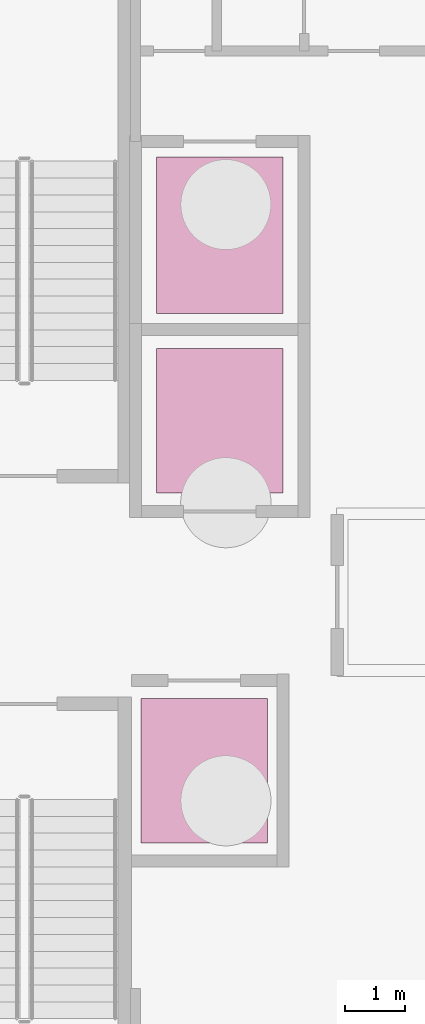
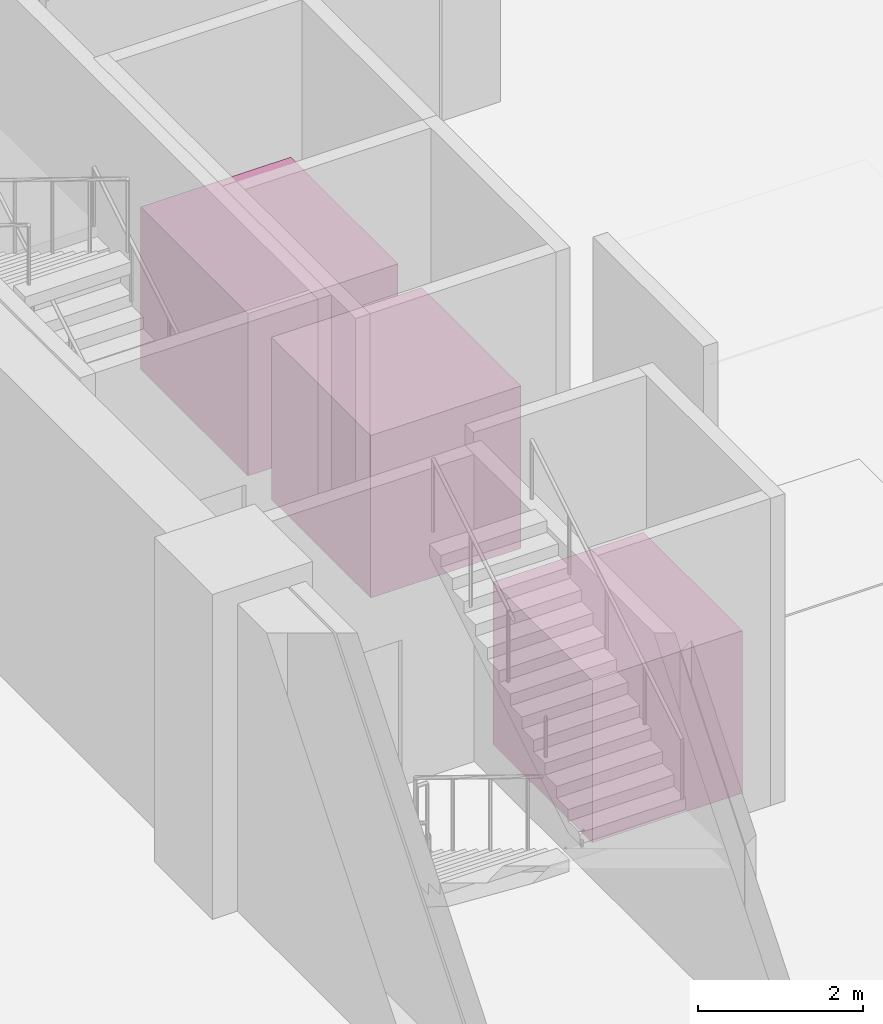
# One storey, part 10 of 10: 3 transport elements.
"""IFC4 building model written with IfcOpenShell, lengths in metres."""

import ifcopenshell
import ifcopenshell.guid

model = None  # the IFC model being written
_history = None  # IfcOwnerHistory: only IFC2X3 demands one
_inside = {}  # id of a spatial element -> (the spatial element, [elements in it])
_under = {}  # id of a project, library or spatial element -> (it, [spatial elements below it])
_declared = {}  # id of a project -> (the project, [libraries it declares])
_typed = {}  # id of a type object -> (the type object, [elements of that type])
_made_of = {}  # id of a material, layer set ... -> (it, [elements and type objects made of it])


def new_model(schema):
    """Start an empty IFC model of exactly this schema.

    Asked for "IFC4X3", IfcOpenShell would pick the latest addendum, in which some entities
    have other attributes; the version numbers below select the first issue.
    IFC2X3 requires an IfcOwnerHistory on every rooted entity: one is made here for all.
    """
    global model, _history
    if schema == "IFC4X3":
        model = ifcopenshell.file(schema_version=(4, 3, 0, 0))
    else:
        model = ifcopenshell.file(schema=schema)
    _inside.clear()
    _under.clear()
    _declared.clear()
    _typed.clear()
    _made_of.clear()
    _history = None
    if model.schema == "IFC2X3":
        org = make("IfcOrganization", Name="unknown")
        user = make(
            "IfcPersonAndOrganization",
            ThePerson=make("IfcPerson", FamilyName="unknown"),
            TheOrganization=org,
        )
        app = make(
            "IfcApplication",
            ApplicationDeveloper=org,
            Version="unknown",
            ApplicationFullName="unknown",
            ApplicationIdentifier="unknown",
        )
        _history = make(
            "IfcOwnerHistory",
            OwningUser=user,
            OwningApplication=app,
            ChangeAction="ADDED",
            CreationDate=0,
        )
    return model


def make(cls, **values):
    """One entity of the class cls with the attributes given. An attribute that is None is left unset."""
    return model.create_entity(
        cls, **{name: value for name, value in values.items() if value is not None}
    )


def rooted(cls, **values):
    """An entity with a GlobalId (a new one), such as an element, a storey or a relation."""
    return make(cls, GlobalId=ifcopenshell.guid.new(), OwnerHistory=_history, **values)


def si_unit(unit_type, name, prefix=None):
    """IfcSIUnit, for example si_unit("LENGTHUNIT", "METRE", prefix="MILLI")."""
    return make("IfcSIUnit", UnitType=unit_type, Prefix=prefix, Name=name)


def assignment(units):
    """IfcUnitAssignment: the units of a project."""
    return None if units is None else make("IfcUnitAssignment", Units=units)


def point(xyz):
    """IfcCartesianPoint."""
    return None if xyz is None else make("IfcCartesianPoint", Coordinates=xyz)


def direction(xyz):
    """IfcDirection."""
    return None if xyz is None else make("IfcDirection", DirectionRatios=xyz)


def frame(location, z_axis=None, x_axis=None):
    """IfcAxis2Placement3D, a coordinate frame: its origin and axes. An axis left out is left unset."""
    return make(
        "IfcAxis2Placement3D",
        Location=point(location),
        Axis=direction(z_axis),
        RefDirection=direction(x_axis),
    )


def frame_2d(location, x_axis=None):
    """IfcAxis2Placement2D, a coordinate frame in the plane: its origin and x axis."""
    return make(
        "IfcAxis2Placement2D", Location=point(location), RefDirection=direction(x_axis)
    )


def origin():
    """The frame at (0, 0, 0) with its axes left unset."""
    return frame((0.0, 0.0, 0.0))


def origin_2d():
    """The frame at (0, 0) in the plane with its x axis left unset."""
    return frame_2d((0.0, 0.0))


def place(relative_to, where):
    """IfcLocalPlacement: puts the frame where relative to a parent placement (None: the world)."""
    return make(
        "IfcLocalPlacement", PlacementRelTo=relative_to, RelativePlacement=where
    )


def context(
    kind, dimensions, precision=None, world=None, true_north=None, identifier=None
):
    """IfcGeometricRepresentationContext, for example the 3D "Model" context."""
    return make(
        "IfcGeometricRepresentationContext",
        ContextIdentifier=identifier,
        ContextType=kind,
        CoordinateSpaceDimension=dimensions,
        Precision=precision,
        WorldCoordinateSystem=world,
        TrueNorth=true_north,
    )


def subcontext(parent, identifier, kind, view, scale=None):
    """IfcGeometricRepresentationSubContext, for example "Body" below "Model"."""
    return make(
        "IfcGeometricRepresentationSubContext",
        ContextIdentifier=identifier,
        ContextType=kind,
        ParentContext=parent,
        TargetScale=scale,
        TargetView=view,
    )


def project(units=None, contexts=None):
    """IfcProject with its units and contexts."""
    return rooted(
        "IfcProject",
        Name="project",
        RepresentationContexts=contexts,
        UnitsInContext=assignment(units),
    )


def spatial(cls, under=None, at=None, **own):
    """A site, building, storey or space (cls), placed at a placement, below another one or the project."""
    s = rooted(cls, ObjectPlacement=at, **own)
    if under is not None:
        _under.setdefault(under.id(), (under, []))[1].append(s)
    return s


def profile(cls, at=None, kind="AREA", **sizes):
    """A parametric profile (cls). Its sizes go by their IFC names, for example OverallWidth=200.0."""
    return make(cls, ProfileType=kind, Position=at, **sizes)


def rectangle(**sizes):
    """IfcRectangleProfileDef."""
    return profile("IfcRectangleProfileDef", **sizes)


def extrude(swept, where, along, depth):
    """IfcExtrudedAreaSolid: the profile swept, set in the frame where, extruded along a direction by depth."""
    return make(
        "IfcExtrudedAreaSolid",
        SweptArea=swept,
        Position=where,
        ExtrudedDirection=direction(along),
        Depth=depth,
    )


def shape(context_of_items, identifier, shape_type, items):
    """IfcShapeRepresentation: the items that make up one representation, for example the "Body"."""
    return make(
        "IfcShapeRepresentation",
        ContextOfItems=context_of_items,
        RepresentationIdentifier=identifier,
        RepresentationType=shape_type,
        Items=items,
    )


def source(mapping_origin, context_of_items, identifier, shape_type, items):
    """IfcRepresentationMap: a shape defined once, which mapped items show again and again."""
    return make(
        "IfcRepresentationMap",
        MappingOrigin=mapping_origin,
        MappedRepresentation=shape(context_of_items, identifier, shape_type, items),
    )


def transform(
    local_origin,
    x_axis=None,
    y_axis=None,
    z_axis=None,
    scale=None,
    scale2=None,
    scale3=None,
    uniform=True,
):
    """IfcCartesianTransformationOperator3D, or its non-uniform kind. x_axis, y_axis, z_axis: its Axis1, 2, 3."""
    if uniform:
        return make(
            "IfcCartesianTransformationOperator3D",
            Axis1=direction(x_axis),
            Axis2=direction(y_axis),
            LocalOrigin=point(local_origin),
            Scale=scale,
            Axis3=direction(z_axis),
        )
    return make(
        "IfcCartesianTransformationOperator3DnonUniform",
        Axis1=direction(x_axis),
        Axis2=direction(y_axis),
        LocalOrigin=point(local_origin),
        Scale=scale,
        Axis3=direction(z_axis),
        Scale2=scale2,
        Scale3=scale3,
    )


def mapped(mapping_source, mapping_target):
    """IfcMappedItem: shows the shape of a source again, moved by a transform."""
    return make(
        "IfcMappedItem", MappingSource=mapping_source, MappingTarget=mapping_target
    )


def material(Name=None, Category=None):
    """IfcMaterial."""
    return make("IfcMaterial", Name=Name, Category=Category)


def made_of(thing, what):
    """Note that an element or type object is made of a material, layer set ...; save() writes the relation."""
    if what is not None:
        _made_of.setdefault(what.id(), (what, []))[1].append(thing)
    return thing


def type_object(cls, material=None, **own):
    """A type object (cls), such as IfcWallType, which elements share."""
    return made_of(rooted(cls, **own), material)


def element(
    cls,
    number,
    at=None,
    inside=None,
    cuts=None,
    type_object=None,
    material=None,
    context=None,
    identifier="Body",
    shape_type=None,
    held_by="IfcProductDefinitionShape",
    body=None,
    shapes=None,
    **own,
):
    """One element of the class cls, such as IfcWall. Its Tag is "e" and its number.

    at: its placement. inside: the storey or other place that contains it. cuts: it is an
    opening in that element (IfcRelVoidsElement). A single representation is given by context,
    identifier, shape_type and body (its items); several are given by shapes. held_by: the class
    of the entity that holds the representations. save() writes the other relations.
    """
    e = rooted(cls, Tag="e%d" % number, ObjectPlacement=at, **own)
    if body is not None:
        shapes = [shape(context, identifier, shape_type, body)]
    if shapes is not None:
        e.Representation = make(held_by, Representations=shapes)
    if inside is not None:
        _inside.setdefault(inside.id(), (inside, []))[1].append(e)
    if cuts is not None:
        rooted(
            "IfcRelVoidsElement", RelatingBuildingElement=cuts, RelatedOpeningElement=e
        )
    if type_object is not None:
        _typed.setdefault(type_object.id(), (type_object, []))[1].append(e)
    return made_of(e, material)


def aggregate(whole, parts):
    """IfcRelAggregates: a whole, such as a stair, and the parts it consists of."""
    return rooted("IfcRelAggregates", RelatingObject=whole, RelatedObjects=parts)


def save(model, path):
    """Write the relations noted so far, then the file.

    IfcRelAggregates (storeys below a building ...), IfcRelContainedInSpatialStructure (elements
    in a storey), IfcRelDefinesByType, IfcRelAssociatesMaterial and IfcRelDeclares: one each for
    every whole, place, type object, material and project.
    """
    for whole, parts in _under.values():
        aggregate(whole, parts)
    for where, things in _inside.values():
        rooted(
            "IfcRelContainedInSpatialStructure",
            RelatedElements=things,
            RelatingStructure=where,
        )
    for kind, things in _typed.values():
        rooted("IfcRelDefinesByType", RelatedObjects=things, RelatingType=kind)
    for what, things in _made_of.values():
        rooted("IfcRelAssociatesMaterial", RelatedObjects=things, RelatingMaterial=what)
    for by, libraries in _declared.values():
        rooted("IfcRelDeclares", RelatingContext=by, RelatedDefinitions=libraries)
    model.write(path)


model = new_model("IFC4")

# Units and contexts
model_context = context("Model", 3, precision=1e-05, world=origin(), true_north=direction((0.0, 1.0)))
body_context = subcontext(model_context, "Body", "Model", "MODEL_VIEW")
ifc_project = project(units=[si_unit("LENGTHUNIT", "METRE"), si_unit("AREAUNIT", "SQUARE_METRE"), si_unit("VOLUMEUNIT", "CUBIC_METRE"), si_unit("PLANEANGLEUNIT", "RADIAN"), si_unit("MASSUNIT", "GRAM", prefix="KILO")], contexts=[model_context])

# Site, building, storey
site_placement = place(None, origin())
site = spatial("IfcSite", under=ifc_project, at=site_placement, CompositionType="ELEMENT")
building_placement = place(site_placement, origin())
building = spatial("IfcBuilding", under=site, at=building_placement, Name="Valdorenza Pilgrim Sanctuary Tower", CompositionType="ELEMENT")
storey_placement = place(building_placement, frame((0.0, 0.0, -9.60009765625)))
storey = spatial("IfcBuildingStorey", under=building, at=storey_placement, Name="B02", CompositionType="ELEMENT", Elevation=-9.60009765625)

# Transport elements
ifc_material = material(Name="Brushed stainless steel Grade 316", Category="steel")
transport_element_type_1 = type_object("IfcTransportElementType", Name="LFT-CAR-FFL", PredefinedType="ELEVATOR", material=ifc_material)
shared_shape_1 = source(origin(), body_context, "Body", "SweptSolid", [
    extrude(rectangle(XDim=2.10009765625, YDim=2.39990234375, at=origin_2d()), origin(), (0.0, 0.0, 1.0), 2.39990234375),
])
for number, where, z_axis, x_axis, name in (
    (1, (-17.25, 2.8125, 0.000244140625), (0.0, 0.0, 1.0), (1.0, 0.0, 0.0), "Lift FFL-01 (Firefighting)"),
    (2, (-17.510009765625, -3.0, 0.000244140625), (0.0, 0.0, 1.0), (1.0, 0.0, 0.0), "Lift FFL-02 (Firefighting)"),
):
    element("IfcTransportElement", number, at=place(storey_placement, frame(where, z_axis=z_axis, x_axis=x_axis)), inside=storey, type_object=transport_element_type_1, Name=name, PredefinedType="ELEVATOR", context=body_context, shape_type="MappedRepresentation", body=[
        mapped(shared_shape_1, transform((0.0, 0.0, 0.0), x_axis=(1.0, 0.0, 0.0), y_axis=(0.0, 1.0, 0.0), z_axis=(0.0, 0.0, 1.0), scale=1.0)),
    ])
transport_element_type_2 = type_object("IfcTransportElementType", Name="LFT-CAR-SVL", PredefinedType="ELEVATOR", material=ifc_material)
shared_shape_2 = source(origin(), body_context, "Body", "SweptSolid", [
    extrude(rectangle(XDim=2.10009765625, YDim=2.60009765625, at=origin_2d()), origin(), (0.0, 0.0, 1.0), 2.39990234375),
])
transport_element_placement = place(storey_placement, frame((-17.25, 5.887451171875, 0.000244140625), z_axis=(0.0, 0.0, 1.0), x_axis=(1.0, 0.0, 0.0)))
element("IfcTransportElement", 3, at=transport_element_placement, inside=storey, type_object=transport_element_type_2, Name="Lift SVL-01 (Passenger)", PredefinedType="ELEVATOR", context=body_context, shape_type="MappedRepresentation", body=[
    mapped(shared_shape_2, transform((0.0, 0.0, 0.0), x_axis=(1.0, 0.0, 0.0), y_axis=(0.0, 1.0, 0.0), z_axis=(0.0, 0.0, 1.0), scale=1.0)),
])

save(model, "model.ifc")
